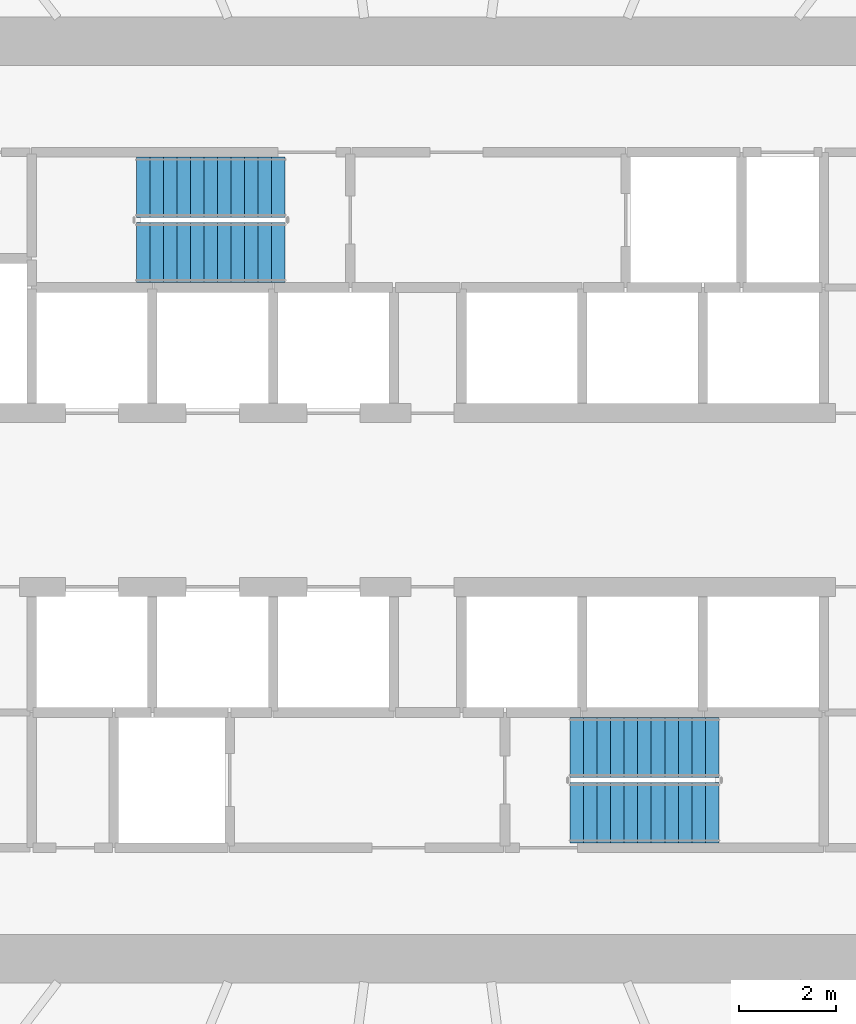
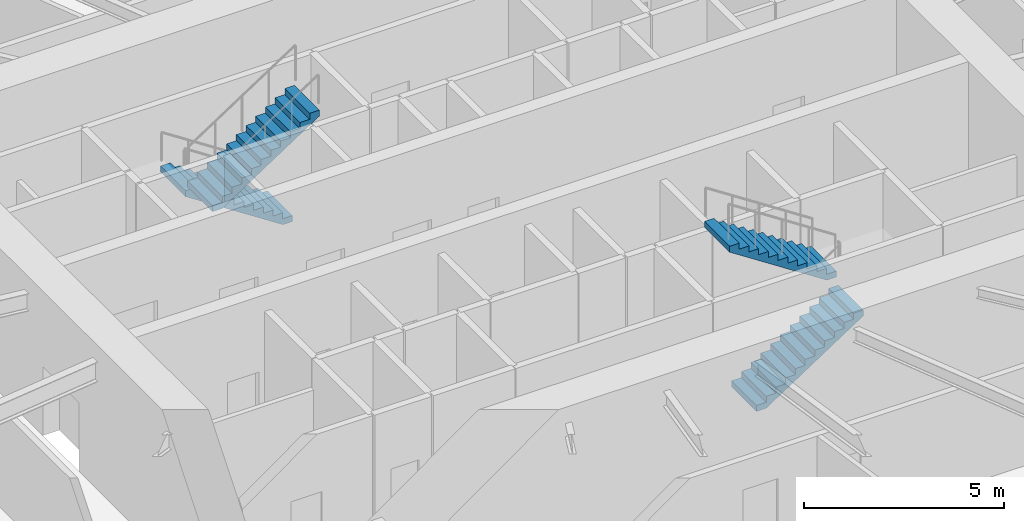
# One storey, part 15 of 18: 4 stair flights, 2 elements without a shape of their own.
"""IFC4 building model written with IfcOpenShell, lengths in metres."""

from ifc_helpers import new_model, si_unit, direction, frame, origin, place, context, subcontext, project, spatial, line, indexed_curve, outline, extrude, material, type_object, element, aggregate, save


model = new_model("IFC4")

# Units and contexts
model_context = context("Model", 3, precision=1e-05, world=origin(), true_north=direction((0.0, 1.0)))
body_context = subcontext(model_context, "Body", "Model", "MODEL_VIEW")
ifc_project = project(units=[si_unit("LENGTHUNIT", "METRE"), si_unit("AREAUNIT", "SQUARE_METRE"), si_unit("VOLUMEUNIT", "CUBIC_METRE"), si_unit("PLANEANGLEUNIT", "RADIAN"), si_unit("MASSUNIT", "GRAM", prefix="KILO")], contexts=[model_context])

# Site, building, storey
site_placement = place(None, origin())
site = spatial("IfcSite", under=ifc_project, at=site_placement, CompositionType="ELEMENT")
building_placement = place(site_placement, origin())
building = spatial("IfcBuilding", under=site, at=building_placement, Name="Spindrift Exchange Tower", CompositionType="ELEMENT")
storey_placement = place(building_placement, frame((0.0, 0.0, 71.0)))
storey = spatial("IfcBuildingStorey", under=building, at=storey_placement, Name="L16", CompositionType="ELEMENT", Elevation=71.0)

# Stair, stair flights
ifc_material = material(Name="Concrete 50 MPa", Category="concrete")
stair_type = type_object("IfcStairType", Name="ST-1250-R183", PredefinedType="HALF_TURN_STAIR", material=ifc_material)
stair_1_placement = place(storey_placement, origin())
stair_1 = element("IfcStair", 1, at=stair_1_placement, inside=storey, type_object=stair_type, Name="L16 Exit stair ST1", PredefinedType="HALF_TURN_STAIR")
stair_flight_type = type_object("IfcStairFlightType", Name="STF-1250-R183", PredefinedType="STRAIGHT", material=ifc_material)
stair_flight_1_placement = place(storey_placement, frame((49.050048828125, 54.47509765625, 0.0), z_axis=(0.0, 0.0, 1.0), x_axis=(-1.0, 0.0, 0.0)))
stair_flight_1 = element("IfcStairFlight", 2, at=stair_flight_1_placement, type_object=stair_flight_type, Name="ST1 flight 1", NumberOfRisers=12, NumberOfTreads=11, PredefinedType="STRAIGHT", RiserHeight=0.183333333, TreadLength=0.28, context=body_context, shape_type="SweptSolid", body=[
    extrude(outline(indexed_curve([(0.0, 0.0), (0.0, 0.18359375), (0.2802734375, 0.18359375), (0.2802734375, 0.3662109375), (0.5595703125, 0.3662109375), (0.5595703125, 0.5498046875), (0.83984375, 0.5498046875), (0.83984375, 0.7333984375), (1.1201171875, 0.7333984375), (1.1201171875, 0.9169921875), (1.400390625, 0.9169921875), (1.400390625, 1.099609375), (1.6796875, 1.099609375), (1.6796875, 1.283203125), (1.9599609375, 1.283203125), (1.9599609375, 1.466796875), (2.240234375, 1.466796875), (2.240234375, 1.650390625), (2.51953125, 1.650390625), (2.51953125, 1.8330078125), (2.7998046875, 1.8330078125), (2.7998046875, 2.0166015625), (3.080078125, 2.0166015625), (3.080078125, 2.2001953125), (3.080078125, 1.837890625), (0.2734375, 0.0)], segments=[line(1, 2, 3, 4, 5, 6, 7, 8, 9, 10, 11, 12, 13, 14, 15, 16, 17, 18, 19, 20, 21, 22, 23, 24, 25, 26, 1)], self_intersect=False)), frame((0.0, 0.625, 0.0), z_axis=(0.0, -1.0, 0.0), x_axis=(1.0, 0.0, 0.0)), (0.0, 0.0, 1.0), 1.25),
])
stair_flight_2_placement = place(storey_placement, frame((45.969970703125, 53.125, 2.199951171875), z_axis=(0.0, 0.0, 1.0), x_axis=(1.0, 0.0, 0.0)))
stair_flight_2 = element("IfcStairFlight", 3, at=stair_flight_2_placement, type_object=stair_flight_type, Name="ST1 flight 2", NumberOfRisers=12, NumberOfTreads=11, PredefinedType="STRAIGHT", RiserHeight=0.183333333, TreadLength=0.28, context=body_context, shape_type="SweptSolid", body=[
    extrude(outline(indexed_curve([(0.0, 0.0), (0.0, 0.18359375), (0.2802734375, 0.18359375), (0.2802734375, 0.3662109375), (0.5595703125, 0.3662109375), (0.5595703125, 0.5498046875), (0.83984375, 0.5498046875), (0.83984375, 0.7333984375), (1.1201171875, 0.7333984375), (1.1201171875, 0.9169921875), (1.400390625, 0.9169921875), (1.400390625, 1.099609375), (1.6796875, 1.099609375), (1.6796875, 1.283203125), (1.9599609375, 1.283203125), (1.9599609375, 1.466796875), (2.240234375, 1.466796875), (2.240234375, 1.650390625), (2.51953125, 1.650390625), (2.51953125, 1.8330078125), (2.7998046875, 1.8330078125), (2.7998046875, 2.0166015625), (3.080078125, 2.0166015625), (3.080078125, 2.2001953125), (3.080078125, 1.837890625), (0.2734375, 0.0)], segments=[line(1, 2, 3, 4, 5, 6, 7, 8, 9, 10, 11, 12, 13, 14, 15, 16, 17, 18, 19, 20, 21, 22, 23, 24, 25, 26, 1)], self_intersect=False)), frame((0.0, 0.625, 0.0), z_axis=(0.0, -1.0, 0.0), x_axis=(1.0, 0.0, 0.0)), (0.0, 0.0, 1.0), 1.25),
])
aggregate(stair_1, [stair_flight_1, stair_flight_2])

stair_2_placement = place(storey_placement, origin())
stair_2 = element("IfcStair", 4, at=stair_2_placement, inside=storey, type_object=stair_type, Name="L16 Exit stair ST2", PredefinedType="HALF_TURN_STAIR")
stair_flight_3_placement = place(storey_placement, frame((54.949951171875, 41.52490234375, 0.0), z_axis=(0.0, 0.0, 1.0), x_axis=(1.0, 0.0, 0.0)))
stair_flight_3 = element("IfcStairFlight", 5, at=stair_flight_3_placement, type_object=stair_flight_type, Name="ST2 flight 1", NumberOfRisers=12, NumberOfTreads=11, PredefinedType="STRAIGHT", RiserHeight=0.183333333, TreadLength=0.28, context=body_context, shape_type="SweptSolid", body=[
    extrude(outline(indexed_curve([(0.0, 0.0), (0.0, 0.18359375), (0.2802734375, 0.18359375), (0.2802734375, 0.3662109375), (0.5595703125, 0.3662109375), (0.5595703125, 0.5498046875), (0.83984375, 0.5498046875), (0.83984375, 0.7333984375), (1.1201171875, 0.7333984375), (1.1201171875, 0.9169921875), (1.400390625, 0.9169921875), (1.400390625, 1.099609375), (1.6796875, 1.099609375), (1.6796875, 1.283203125), (1.9599609375, 1.283203125), (1.9599609375, 1.466796875), (2.240234375, 1.466796875), (2.240234375, 1.650390625), (2.51953125, 1.650390625), (2.51953125, 1.8330078125), (2.7998046875, 1.8330078125), (2.7998046875, 2.0166015625), (3.080078125, 2.0166015625), (3.080078125, 2.2001953125), (3.080078125, 1.837890625), (0.2734375, 0.0)], segments=[line(1, 2, 3, 4, 5, 6, 7, 8, 9, 10, 11, 12, 13, 14, 15, 16, 17, 18, 19, 20, 21, 22, 23, 24, 25, 26, 1)], self_intersect=False)), frame((0.0, 0.625, 0.0), z_axis=(0.0, -1.0, 0.0), x_axis=(1.0, 0.0, 0.0)), (0.0, 0.0, 1.0), 1.25),
])
stair_flight_4_placement = place(storey_placement, frame((58.030029296875, 42.875, 2.199951171875), z_axis=(0.0, 0.0, 1.0), x_axis=(-1.0, 0.0, 0.0)))
stair_flight_4 = element("IfcStairFlight", 6, at=stair_flight_4_placement, type_object=stair_flight_type, Name="ST2 flight 2", NumberOfRisers=12, NumberOfTreads=11, PredefinedType="STRAIGHT", RiserHeight=0.183333333, TreadLength=0.28, context=body_context, shape_type="SweptSolid", body=[
    extrude(outline(indexed_curve([(0.0, 0.0), (0.0, 0.18359375), (0.2802734375, 0.18359375), (0.2802734375, 0.3662109375), (0.5595703125, 0.3662109375), (0.5595703125, 0.5498046875), (0.83984375, 0.5498046875), (0.83984375, 0.7333984375), (1.1201171875, 0.7333984375), (1.1201171875, 0.9169921875), (1.400390625, 0.9169921875), (1.400390625, 1.099609375), (1.6796875, 1.099609375), (1.6796875, 1.283203125), (1.9599609375, 1.283203125), (1.9599609375, 1.466796875), (2.240234375, 1.466796875), (2.240234375, 1.650390625), (2.51953125, 1.650390625), (2.51953125, 1.8330078125), (2.7998046875, 1.8330078125), (2.7998046875, 2.0166015625), (3.080078125, 2.0166015625), (3.080078125, 2.2001953125), (3.080078125, 1.837890625), (0.2734375, 0.0)], segments=[line(1, 2, 3, 4, 5, 6, 7, 8, 9, 10, 11, 12, 13, 14, 15, 16, 17, 18, 19, 20, 21, 22, 23, 24, 25, 26, 1)], self_intersect=False)), frame((0.0, 0.625, 0.0), z_axis=(0.0, -1.0, 0.0), x_axis=(1.0, 0.0, 0.0)), (0.0, 0.0, 1.0), 1.25),
])
aggregate(stair_2, [stair_flight_3, stair_flight_4])

save(model, "model.ifc")
